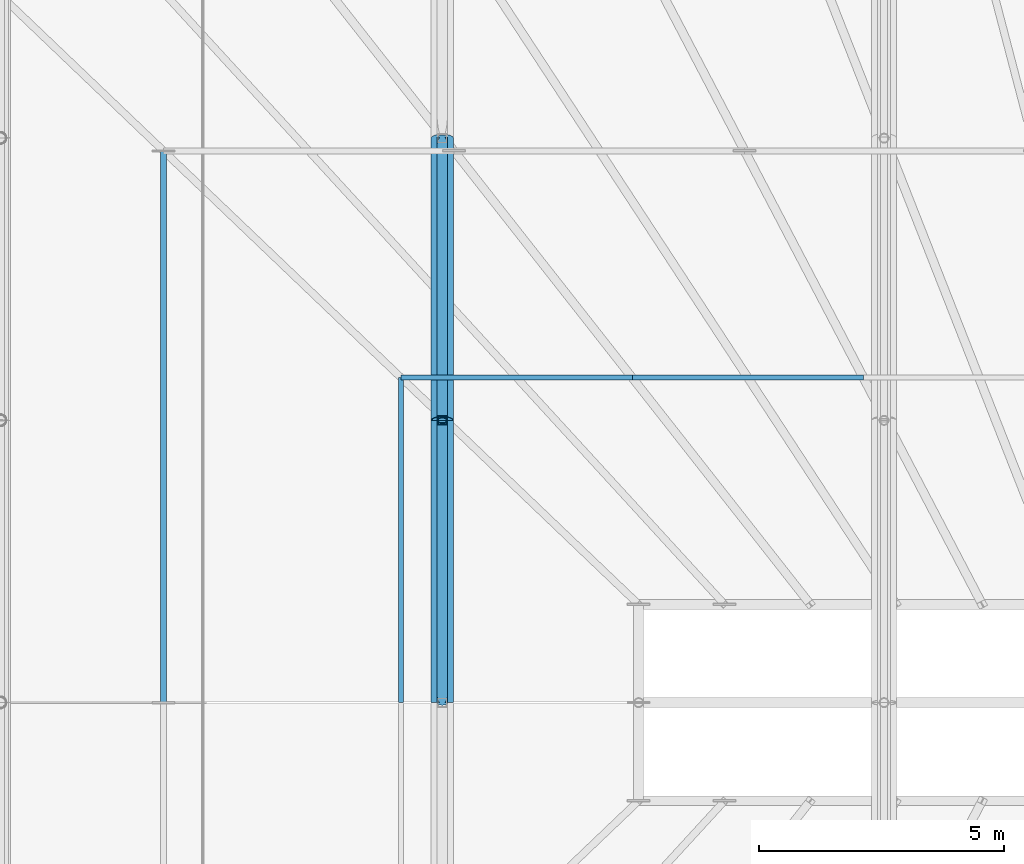
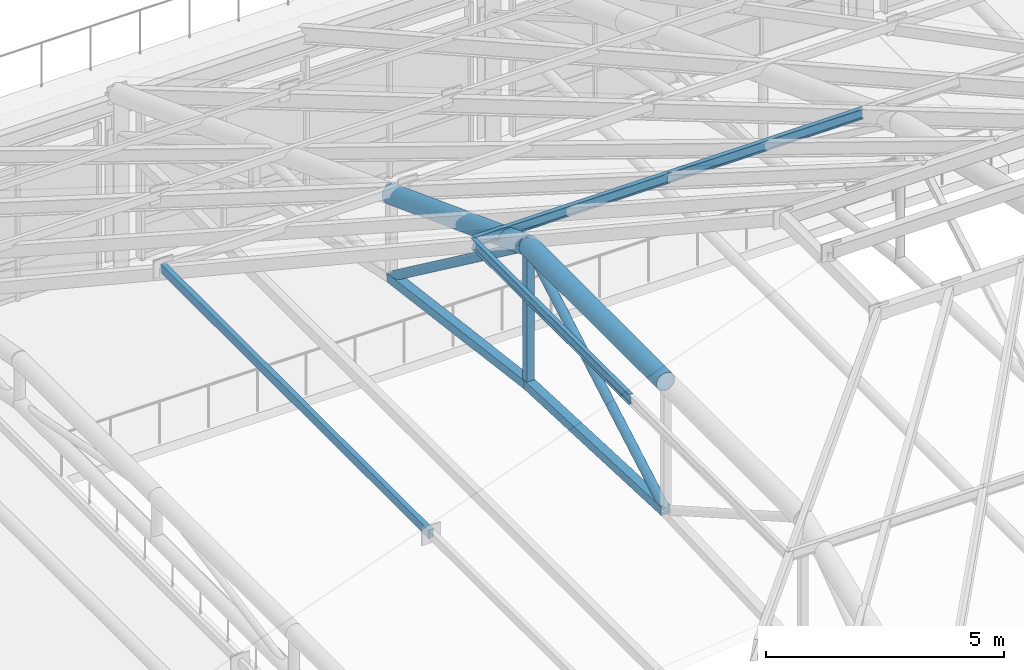
# One storey, part 50 of 168: 9 members, 2 beams.
"""IFC4 building model written with IfcOpenShell, lengths in metres."""

import ifcopenshell
import ifcopenshell.guid

model = None  # the IFC model being written
_history = None  # IfcOwnerHistory: only IFC2X3 demands one
_inside = {}  # id of a spatial element -> (the spatial element, [elements in it])
_under = {}  # id of a project, library or spatial element -> (it, [spatial elements below it])
_declared = {}  # id of a project -> (the project, [libraries it declares])
_typed = {}  # id of a type object -> (the type object, [elements of that type])
_made_of = {}  # id of a material, layer set ... -> (it, [elements and type objects made of it])


def new_model(schema):
    """Start an empty IFC model of exactly this schema.

    Asked for "IFC4X3", IfcOpenShell would pick the latest addendum, in which some entities
    have other attributes; the version numbers below select the first issue.
    IFC2X3 requires an IfcOwnerHistory on every rooted entity: one is made here for all.
    """
    global model, _history
    if schema == "IFC4X3":
        model = ifcopenshell.file(schema_version=(4, 3, 0, 0))
    else:
        model = ifcopenshell.file(schema=schema)
    _inside.clear()
    _under.clear()
    _declared.clear()
    _typed.clear()
    _made_of.clear()
    _history = None
    if model.schema == "IFC2X3":
        org = make("IfcOrganization", Name="unknown")
        user = make(
            "IfcPersonAndOrganization",
            ThePerson=make("IfcPerson", FamilyName="unknown"),
            TheOrganization=org,
        )
        app = make(
            "IfcApplication",
            ApplicationDeveloper=org,
            Version="unknown",
            ApplicationFullName="unknown",
            ApplicationIdentifier="unknown",
        )
        _history = make(
            "IfcOwnerHistory",
            OwningUser=user,
            OwningApplication=app,
            ChangeAction="ADDED",
            CreationDate=0,
        )
    return model


def make(cls, **values):
    """One entity of the class cls with the attributes given. An attribute that is None is left unset."""
    return model.create_entity(
        cls, **{name: value for name, value in values.items() if value is not None}
    )


def rooted(cls, **values):
    """An entity with a GlobalId (a new one), such as an element, a storey or a relation."""
    return make(cls, GlobalId=ifcopenshell.guid.new(), OwnerHistory=_history, **values)


def si_unit(unit_type, name, prefix=None):
    """IfcSIUnit, for example si_unit("LENGTHUNIT", "METRE", prefix="MILLI")."""
    return make("IfcSIUnit", UnitType=unit_type, Prefix=prefix, Name=name)


def assignment(units):
    """IfcUnitAssignment: the units of a project."""
    return None if units is None else make("IfcUnitAssignment", Units=units)


def point(xyz):
    """IfcCartesianPoint."""
    return None if xyz is None else make("IfcCartesianPoint", Coordinates=xyz)


def direction(xyz):
    """IfcDirection."""
    return None if xyz is None else make("IfcDirection", DirectionRatios=xyz)


def frame(location, z_axis=None, x_axis=None):
    """IfcAxis2Placement3D, a coordinate frame: its origin and axes. An axis left out is left unset."""
    return make(
        "IfcAxis2Placement3D",
        Location=point(location),
        Axis=direction(z_axis),
        RefDirection=direction(x_axis),
    )


def frame_2d(location, x_axis=None):
    """IfcAxis2Placement2D, a coordinate frame in the plane: its origin and x axis."""
    return make(
        "IfcAxis2Placement2D", Location=point(location), RefDirection=direction(x_axis)
    )


def origin():
    """The frame at (0, 0, 0) with its axes left unset."""
    return frame((0.0, 0.0, 0.0))


def origin_2d():
    """The frame at (0, 0) in the plane with its x axis left unset."""
    return frame_2d((0.0, 0.0))


def place(relative_to, where):
    """IfcLocalPlacement: puts the frame where relative to a parent placement (None: the world)."""
    return make(
        "IfcLocalPlacement", PlacementRelTo=relative_to, RelativePlacement=where
    )


def context(
    kind, dimensions, precision=None, world=None, true_north=None, identifier=None
):
    """IfcGeometricRepresentationContext, for example the 3D "Model" context."""
    return make(
        "IfcGeometricRepresentationContext",
        ContextIdentifier=identifier,
        ContextType=kind,
        CoordinateSpaceDimension=dimensions,
        Precision=precision,
        WorldCoordinateSystem=world,
        TrueNorth=true_north,
    )


def subcontext(parent, identifier, kind, view, scale=None):
    """IfcGeometricRepresentationSubContext, for example "Body" below "Model"."""
    return make(
        "IfcGeometricRepresentationSubContext",
        ContextIdentifier=identifier,
        ContextType=kind,
        ParentContext=parent,
        TargetScale=scale,
        TargetView=view,
    )


def project(units=None, contexts=None):
    """IfcProject with its units and contexts."""
    return rooted(
        "IfcProject",
        Name="project",
        RepresentationContexts=contexts,
        UnitsInContext=assignment(units),
    )


def spatial(cls, under=None, at=None, **own):
    """A site, building, storey or space (cls), placed at a placement, below another one or the project."""
    s = rooted(cls, ObjectPlacement=at, **own)
    if under is not None:
        _under.setdefault(under.id(), (under, []))[1].append(s)
    return s


def profile(cls, at=None, kind="AREA", **sizes):
    """A parametric profile (cls). Its sizes go by their IFC names, for example OverallWidth=200.0."""
    return make(cls, ProfileType=kind, Position=at, **sizes)


def hollow_rectangle(**sizes):
    """IfcRectangleHollowProfileDef."""
    return profile("IfcRectangleHollowProfileDef", **sizes)


def hollow_circle(**sizes):
    """IfcCircleHollowProfileDef."""
    return profile("IfcCircleHollowProfileDef", **sizes)


def i_section(**sizes):
    """IfcIShapeProfileDef."""
    return profile("IfcIShapeProfileDef", **sizes)


def extrude(swept, where, along, depth):
    """IfcExtrudedAreaSolid: the profile swept, set in the frame where, extruded along a direction by depth."""
    return make(
        "IfcExtrudedAreaSolid",
        SweptArea=swept,
        Position=where,
        ExtrudedDirection=direction(along),
        Depth=depth,
    )


def shape(context_of_items, identifier, shape_type, items):
    """IfcShapeRepresentation: the items that make up one representation, for example the "Body"."""
    return make(
        "IfcShapeRepresentation",
        ContextOfItems=context_of_items,
        RepresentationIdentifier=identifier,
        RepresentationType=shape_type,
        Items=items,
    )


def material(Name=None, Category=None):
    """IfcMaterial."""
    return make("IfcMaterial", Name=Name, Category=Category)


def material_profile(
    of_material, cross_section, Name=None, Category=None, Priority=None
):
    """IfcMaterialProfile: a cross section and its material."""
    return make(
        "IfcMaterialProfile",
        Name=Name,
        Material=of_material,
        Profile=cross_section,
        Priority=Priority,
        Category=Category,
    )


def profile_set(profiles, Name=None, composite=None):
    """IfcMaterialProfileSet."""
    return make(
        "IfcMaterialProfileSet",
        Name=Name,
        MaterialProfiles=profiles,
        CompositeProfile=composite,
    )


def made_of(thing, what):
    """Note that an element or type object is made of a material, layer set ...; save() writes the relation."""
    if what is not None:
        _made_of.setdefault(what.id(), (what, []))[1].append(thing)
    return thing


def type_object(cls, material=None, **own):
    """A type object (cls), such as IfcWallType, which elements share."""
    return made_of(rooted(cls, **own), material)


def element(
    cls,
    number,
    at=None,
    inside=None,
    cuts=None,
    type_object=None,
    material=None,
    context=None,
    identifier="Body",
    shape_type=None,
    held_by="IfcProductDefinitionShape",
    body=None,
    shapes=None,
    **own,
):
    """One element of the class cls, such as IfcWall. Its Tag is "e" and its number.

    at: its placement. inside: the storey or other place that contains it. cuts: it is an
    opening in that element (IfcRelVoidsElement). A single representation is given by context,
    identifier, shape_type and body (its items); several are given by shapes. held_by: the class
    of the entity that holds the representations. save() writes the other relations.
    """
    e = rooted(cls, Tag="e%d" % number, ObjectPlacement=at, **own)
    if body is not None:
        shapes = [shape(context, identifier, shape_type, body)]
    if shapes is not None:
        e.Representation = make(held_by, Representations=shapes)
    if inside is not None:
        _inside.setdefault(inside.id(), (inside, []))[1].append(e)
    if cuts is not None:
        rooted(
            "IfcRelVoidsElement", RelatingBuildingElement=cuts, RelatedOpeningElement=e
        )
    if type_object is not None:
        _typed.setdefault(type_object.id(), (type_object, []))[1].append(e)
    return made_of(e, material)


def aggregate(whole, parts):
    """IfcRelAggregates: a whole, such as a stair, and the parts it consists of."""
    return rooted("IfcRelAggregates", RelatingObject=whole, RelatedObjects=parts)


def save(model, path):
    """Write the relations noted so far, then the file.

    IfcRelAggregates (storeys below a building ...), IfcRelContainedInSpatialStructure (elements
    in a storey), IfcRelDefinesByType, IfcRelAssociatesMaterial and IfcRelDeclares: one each for
    every whole, place, type object, material and project.
    """
    for whole, parts in _under.values():
        aggregate(whole, parts)
    for where, things in _inside.values():
        rooted(
            "IfcRelContainedInSpatialStructure",
            RelatedElements=things,
            RelatingStructure=where,
        )
    for kind, things in _typed.values():
        rooted("IfcRelDefinesByType", RelatedObjects=things, RelatingType=kind)
    for what, things in _made_of.values():
        rooted("IfcRelAssociatesMaterial", RelatedObjects=things, RelatingMaterial=what)
    for by, libraries in _declared.values():
        rooted("IfcRelDeclares", RelatingContext=by, RelatedDefinitions=libraries)
    model.write(path)


model = new_model("IFC4")

# Units and contexts
model_context = context("Model", 3, precision=1e-05, world=origin(), true_north=direction((0.0, 1.0)))
body_context = subcontext(model_context, "Body", "Model", "MODEL_VIEW")
ifc_project = project(units=[si_unit("LENGTHUNIT", "METRE"), si_unit("AREAUNIT", "SQUARE_METRE"), si_unit("VOLUMEUNIT", "CUBIC_METRE"), si_unit("PLANEANGLEUNIT", "RADIAN"), si_unit("MASSUNIT", "GRAM", prefix="KILO"), si_unit("THERMODYNAMICTEMPERATUREUNIT", "KELVIN"), si_unit("POWERUNIT", "WATT")], contexts=[model_context])

# Site, building, storey
site_placement = place(None, origin())
site = spatial("IfcSite", under=ifc_project, at=site_placement, CompositionType="ELEMENT")
building_placement = place(site_placement, origin())
building = spatial("IfcBuilding", under=site, at=building_placement, Name="Tepalcoro Natatorium and Aquatics Centre", CompositionType="ELEMENT")
storey_placement = place(building_placement, frame((0.0, 0.0, 10.199951171875)))
storey = spatial("IfcBuildingStorey", under=building, at=storey_placement, Name="L02", CompositionType="ELEMENT", Elevation=10.199951171875)

# Beams
ifc_material_1 = material(Name="Terracotta Painted Hollow Steel ASTM A500 Grade C (Fy 345 MPa)", Category="masonry")
ifc_material_profile_1 = material_profile(ifc_material_1, hollow_circle(Radius=0.228515625, WallThickness=0.02001953125, at=origin_2d()), Name="CHS457X20")
ifc_profile_set_1 = profile_set([ifc_material_profile_1], Name="Terracotta Painted Hollow Steel ASTM A500 Grade C (Fy 345 MPa)")
beam_type = type_object("IfcBeamType", Name="AC_CHS457x20", PredefinedType="USERDEFINED", material=ifc_profile_set_1)
beam_1_placement = place(storey_placement, frame((71.0, 36.0, 10.933349609375), z_axis=(0.0, 1.0, 0.0), x_axis=(-1.0, 0.0, 0.0)))
element("IfcBeam", 1, at=beam_1_placement, inside=storey, type_object=beam_type, Name="V1 Arched Truss Top Chord 3", ObjectType="ARCH CHORD", PredefinedType="USERDEFINED", context=body_context, shape_type="SweptSolid", body=[
    extrude(hollow_circle(Radius=0.228515625, WallThickness=0.02001953125, at=origin_2d()), origin(), (0.0, 0.0, 1.0), 5.75),
])
beam_2_placement = place(storey_placement, frame((71.0, 41.75, 10.933349609375), z_axis=(0.0, 0.935595776827, -0.35307299866), x_axis=(-1.0, 0.0, 0.0)))
element("IfcBeam", 2, at=beam_2_placement, inside=storey, type_object=beam_type, Name="V1 Arched Truss Top Chord 3", ObjectType="ARCH CHORD", PredefinedType="USERDEFINED", context=body_context, shape_type="SweptSolid", body=[
    extrude(hollow_circle(Radius=0.228515625, WallThickness=0.02001953125, at=origin_2d()), origin(), (0.0, 0.0, 1.0), 6.145751953125),
])

# Members
ifc_material_profile_2 = material_profile(ifc_material_1, hollow_rectangle(XDim=0.219970703125, YDim=0.219970703125, WallThickness=0.011962890625, at=origin_2d()), Name="HSS220X220X12")
ifc_profile_set_2 = profile_set([ifc_material_profile_2], Name="Terracotta Painted Hollow Steel ASTM A500 Grade C (Fy 345 MPa)")
member_type_1 = type_object("IfcMemberType", Name="MB_CH_HSS220x220x12", PredefinedType="CHORD", material=ifc_profile_set_2)
member_1_placement = place(storey_placement, frame((71.0, 36.0, 7.650146484375), z_axis=(0.0, 0.999078119626, -0.042929137953), x_axis=(-1.0, 0.0, 0.0)))
element("IfcMember", 3, at=member_1_placement, inside=storey, type_object=member_type_1, Name="V1 Arched Truss Bottom Chord 3", PredefinedType="CHORD", context=body_context, shape_type="SweptSolid", body=[
    extrude(hollow_rectangle(XDim=0.219970703125, YDim=0.219970703125, WallThickness=0.011962890625, at=origin_2d()), origin(), (0.0, 0.0, 1.0), 5.75537109375),
])
member_2_placement = place(storey_placement, frame((71.0, 41.75, 7.403076171875), z_axis=(0.0, 0.991809731939, -0.127724138798), x_axis=(-1.0, 0.0, 0.0)))
element("IfcMember", 4, at=member_2_placement, inside=storey, type_object=member_type_1, Name="V1 Arched Truss Bottom Chord 3", PredefinedType="CHORD", context=body_context, shape_type="SweptSolid", body=[
    extrude(hollow_rectangle(XDim=0.219970703125, YDim=0.219970703125, WallThickness=0.011962890625, at=origin_2d()), origin(), (0.0, 0.0, 1.0), 5.79736328125),
])
ifc_material_2 = material(Name="Hollow Steel ASTM A500 Grade C (Fy 345 MPa)", Category="steel")
ifc_material_profile_3 = material_profile(ifc_material_2, hollow_rectangle(XDim=0.1201171875, YDim=0.219970703125, WallThickness=0.010009765625, at=origin_2d()), Name="HSS220X120X10")
ifc_profile_set_3 = profile_set([ifc_material_profile_3], Name="Hollow Steel ASTM A500 Grade C (Fy 345 MPa)")
member_type_2 = type_object("IfcMemberType", Name="MB_PR_HSS220x120x10", PredefinedType="PURLIN", material=ifc_profile_set_3)
member_3_placement = place(storey_placement, frame((65.320068359375, 36.0, 9.033203125), z_axis=(0.0, 1.0, 0.0), x_axis=(-1.0, 0.0, 0.0)))
element("IfcMember", 5, at=member_3_placement, inside=storey, type_object=member_type_2, Name="Pyramid Horizontal Purlin W", PredefinedType="PURLIN", context=body_context, shape_type="SweptSolid", body=[
    extrude(hollow_rectangle(XDim=0.1201171875, YDim=0.219970703125, WallThickness=0.010009765625, at=origin_2d()), origin(), (0.0, 0.0, 1.0), 11.239990234375),
])
ifc_material_3 = material(Name="Steel ASTM A992 Grade 50 (Fy 345 MPa)", Category="steel")
ifc_material_profile_4 = material_profile(ifc_material_3, i_section(OverallWidth=0.10205078125, OverallDepth=0.259033203125, WebThickness=0.006103515625, FlangeThickness=0.010009765625, FilletRadius=0.013916015625, at=origin_2d()), Name="W10X19")
ifc_profile_set_4 = profile_set([ifc_material_profile_4], Name="Steel ASTM A992 Grade 50 (Fy 345 MPa)")
member_type_3 = type_object("IfcMemberType", Name="MB_PR_W10x19", PredefinedType="PURLIN", material=ifc_profile_set_4)
member_4_placement = place(storey_placement, frame((70.159912109375, 42.6201171875, 10.799072265625), z_axis=(1.0, 0.0, 0.0), x_axis=(0.0, 1.0, 0.0)))
element("IfcMember", 6, at=member_4_placement, inside=storey, type_object=member_type_3, Name="Pyramid Horizontal Purlin North", PredefinedType="PURLIN", context=body_context, shape_type="SweptSolid", body=[
    extrude(i_section(OverallWidth=0.10205078125, OverallDepth=0.259033203125, WebThickness=0.006103515625, FlangeThickness=0.010009765625, FilletRadius=0.013916015625, at=origin_2d()), origin(), (0.0, 0.0, 1.0), 4.710205078125),
])
member_5_placement = place(storey_placement, frame((74.8701171875, 42.6201171875, 10.799072265625), z_axis=(1.0, 0.0, 0.0), x_axis=(0.0, 1.0, 0.0)))
element("IfcMember", 7, at=member_5_placement, inside=storey, type_object=member_type_3, Name="Pyramid Horizontal Purlin North", PredefinedType="PURLIN", context=body_context, shape_type="SweptSolid", body=[
    extrude(i_section(OverallWidth=0.10205078125, OverallDepth=0.259033203125, WebThickness=0.006103515625, FlangeThickness=0.010009765625, FilletRadius=0.013916015625, at=origin_2d()), origin(), (0.0, 0.0, 1.0), 4.7099609375),
])
member_6_placement = place(storey_placement, frame((70.159912109375, 36.0, 10.778076171875), z_axis=(0.0, 1.0, 0.0), x_axis=(-1.0, 0.0, 0.0)))
element("IfcMember", 8, at=member_6_placement, inside=storey, type_object=member_type_3, Name="Pyramid Horizontal Purlin W", PredefinedType="PURLIN", context=body_context, shape_type="SweptSolid", body=[
    extrude(i_section(OverallWidth=0.10205078125, OverallDepth=0.259033203125, WebThickness=0.006103515625, FlangeThickness=0.010009765625, FilletRadius=0.013916015625, at=origin_2d()), origin(), (0.0, 0.0, 1.0), 6.6201171875),
])
ifc_material_profile_5 = material_profile(ifc_material_1, hollow_rectangle(XDim=0.179931640625, YDim=0.179931640625, WallThickness=0.010009765625, at=origin_2d()), Name="HSS180X180X10")
ifc_profile_set_5 = profile_set([ifc_material_profile_5], Name="Terracotta Painted Hollow Steel ASTM A500 Grade C (Fy 345 MPa)")
member_type_4 = type_object("IfcMemberType", Name="MB_PS_HSS180x180x10", PredefinedType="POST", material=ifc_profile_set_5)
member_7_placement = place(storey_placement, frame((71.0, 41.75, 7.403076171875), z_axis=(0.0, 0.0, 1.0), x_axis=(1.0, 0.0, 0.0)))
element("IfcMember", 9, at=member_7_placement, inside=storey, type_object=member_type_4, Name="V1 Arched Truss Vertical Post 3", PredefinedType="POST", context=body_context, shape_type="SweptSolid", body=[
    extrude(hollow_rectangle(XDim=0.179931640625, YDim=0.179931640625, WallThickness=0.010009765625, at=origin_2d()), origin(), (0.0, 0.0, 1.0), 3.5302734375),
])
ifc_material_profile_6 = material_profile(ifc_material_1, hollow_circle(Radius=0.109619140625, WallThickness=0.013916015625, at=origin_2d()), Name="CHS219X14")
ifc_profile_set_6 = profile_set([ifc_material_profile_6], Name="Terracotta Painted Hollow Steel ASTM A500 Grade C (Fy 345 MPa)")
member_type_5 = type_object("IfcMemberType", Name="MB_ST_CHS219x14", PredefinedType="STRUT", material=ifc_profile_set_6)
member_8_placement = place(storey_placement, frame((71.0, 36.0, 7.650146484375), z_axis=(0.0, 0.868406465835, 0.495853012591), x_axis=(-1.0, 0.0, 0.0)))
element("IfcMember", 10, at=member_8_placement, inside=storey, type_object=member_type_5, Name="V1 Arched Truss Web Diagonal 3", PredefinedType="STRUT", context=body_context, shape_type="SweptSolid", body=[
    extrude(hollow_circle(Radius=0.109619140625, WallThickness=0.013916015625, at=origin_2d()), origin(), (0.0, 0.0, 1.0), 6.621337890625),
])
member_9_placement = place(storey_placement, frame((71.0, 41.75, 10.933349609375), z_axis=(0.0, 0.802789066278, -0.596263125696), x_axis=(-1.0, 0.0, 0.0)))
element("IfcMember", 11, at=member_9_placement, inside=storey, type_object=member_type_5, Name="V1 Arched Truss Web Diagonal 3", PredefinedType="STRUT", context=body_context, shape_type="SweptSolid", body=[
    extrude(hollow_circle(Radius=0.109619140625, WallThickness=0.013916015625, at=origin_2d()), origin(), (0.0, 0.0, 1.0), 7.16259765625),
])

save(model, "model.ifc")
